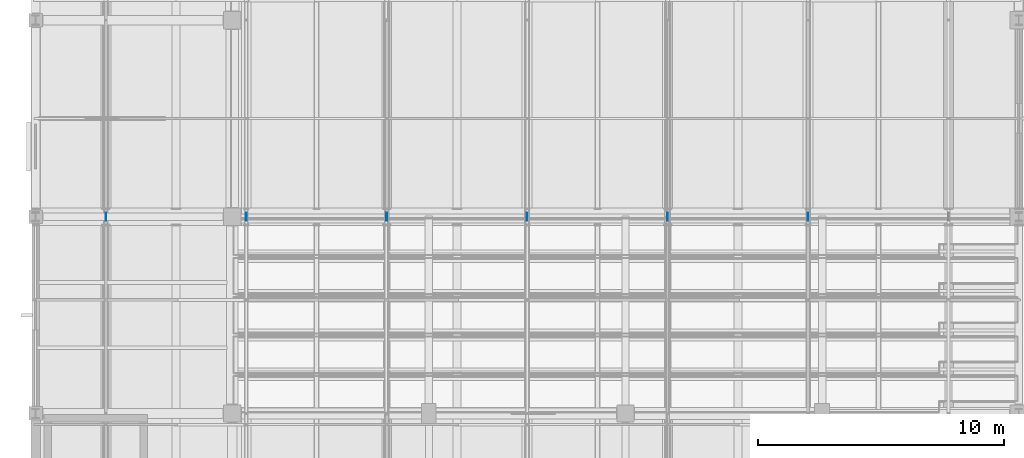
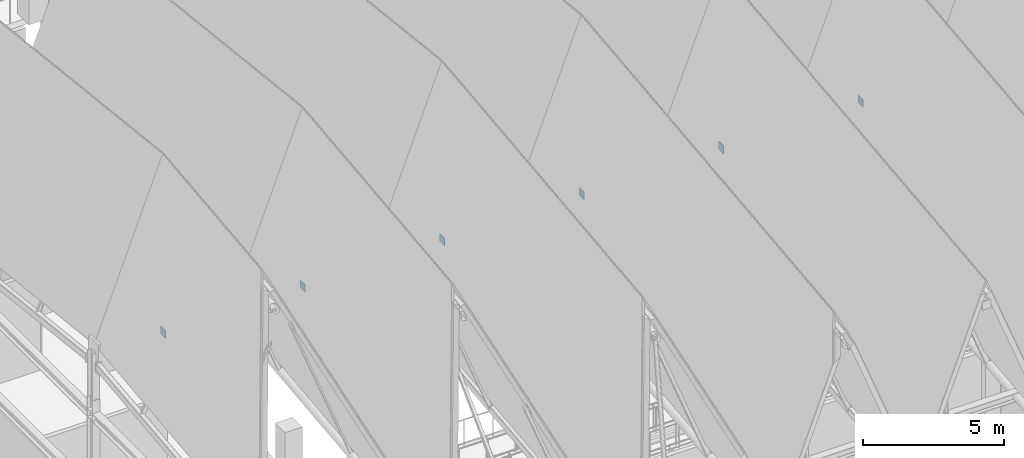
# One storey, part 34 of 77: 6 plates.
"""IFC4 building model written with IfcOpenShell, lengths in metres."""

from ifc_helpers import new_model, si_unit, direction, frame, origin, origin_2d, place, context, subcontext, project, spatial, rectangle, extrude, material, layer, layer_set, type_object, element, save


model = new_model("IFC4")

# Units and contexts
model_context = context("Model", 3, precision=1e-05, world=origin(), true_north=direction((0.0, 1.0)))
body_context = subcontext(model_context, "Body", "Model", "MODEL_VIEW")
ifc_project = project(units=[si_unit("LENGTHUNIT", "METRE"), si_unit("AREAUNIT", "SQUARE_METRE"), si_unit("VOLUMEUNIT", "CUBIC_METRE"), si_unit("PLANEANGLEUNIT", "RADIAN"), si_unit("MASSUNIT", "GRAM", prefix="KILO")], contexts=[model_context])

# Site, building, storey
site_placement = place(None, origin())
site = spatial("IfcSite", under=ifc_project, at=site_placement, CompositionType="ELEMENT")
building_placement = place(site_placement, origin())
building = spatial("IfcBuilding", under=site, at=building_placement, Name="Luwemba Playhouse", CompositionType="ELEMENT")
storey_placement = place(building_placement, frame((0.0, 0.0, 9.300048828125)))
storey = spatial("IfcBuildingStorey", under=building, at=storey_placement, Name="L02", CompositionType="ELEMENT", Elevation=9.300048828125)

# Plates
ifc_material = material(Name="Steel S355", Category="steel")
ifc_layer = layer(ifc_material, 0.02490234375)
ifc_layer_set = layer_set([ifc_layer], Name="Steel S355")
plate_type = type_object("IfcPlateType", Name="PLT-GP3", PredefinedType="USERDEFINED", material=ifc_layer_set)
for number, where, z_axis, x_axis, name in (
    (1, (6.857177734375, 52.0, 10.14453125), (0.0, 0.0, 1.0), (1.0, 0.0, 0.0), "Truss node gusset cap plate 0002"),
    (2, (12.5712890625, 52.0, 10.14453125), (0.0, 0.0, 1.0), (1.0, 0.0, 0.0), "Truss node gusset cap plate 0005"),
    (3, (18.28564453125, 52.0, 10.14453125), (0.0, 0.0, 1.0), (1.0, 0.0, 0.0), "Truss node gusset cap plate 0008"),
    (4, (24.0, 52.0, 10.14453125), (0.0, 0.0, 1.0), (1.0, 0.0, 0.0), "Truss node gusset cap plate 0011"),
    (5, (29.71435546875, 52.0, 10.14453125), (0.0, 0.0, 1.0), (1.0, 0.0, 0.0), "Truss node gusset cap plate 0014"),
    (6, (35.4287109375, 52.0, 10.14453125), (0.0, 0.0, 1.0), (1.0, 0.0, 0.0), "Truss node gusset cap plate 0017"),
):
    element("IfcPlate", number, at=place(storey_placement, frame(where, z_axis=z_axis, x_axis=x_axis)), inside=storey, type_object=plate_type, Name=name, ObjectType="GUSSET PLATE", PredefinedType="USERDEFINED", context=body_context, shape_type="SweptSolid", body=[
        extrude(rectangle(XDim=0.02490234375, YDim=0.340087890625, at=origin_2d()), origin(), (0.0, 0.0, 1.0), 0.340087890625),
    ])

save(model, "model.ifc")
